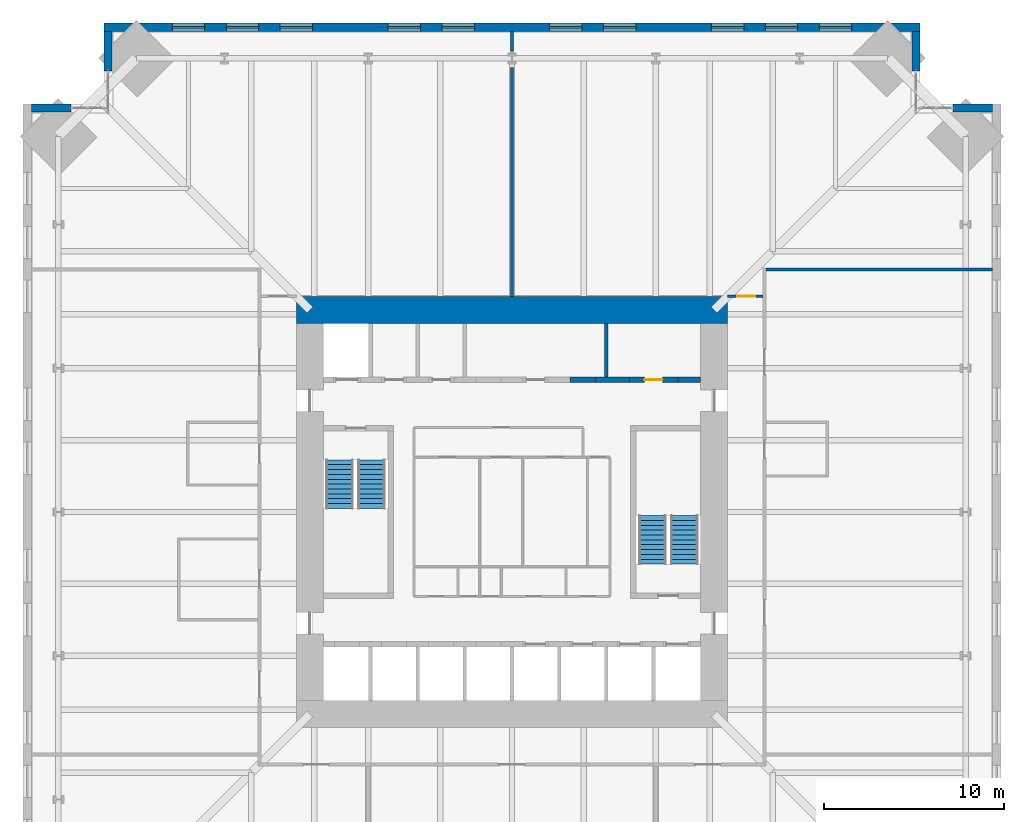
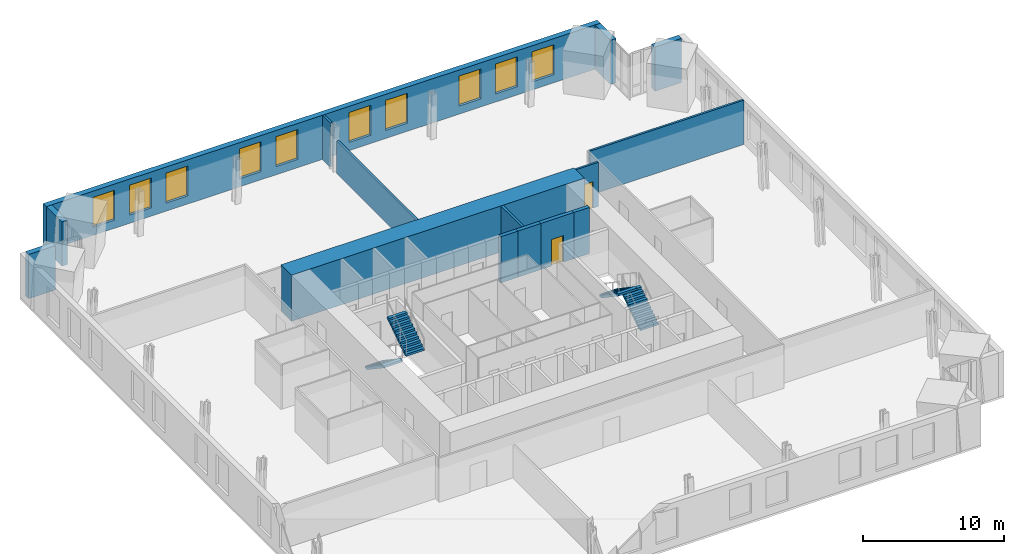
# One storey, part 15 of 16: 15 walls, 10 windows, 4 stair flights, 2 doors, 12 openings, 2 elements without a shape of their own.
"""IFC4 building model written with IfcOpenShell, lengths in metres."""

import ifcopenshell
import ifcopenshell.guid

model = None  # the IFC model being written
_history = None  # IfcOwnerHistory: only IFC2X3 demands one
_inside = {}  # id of a spatial element -> (the spatial element, [elements in it])
_under = {}  # id of a project, library or spatial element -> (it, [spatial elements below it])
_declared = {}  # id of a project -> (the project, [libraries it declares])
_typed = {}  # id of a type object -> (the type object, [elements of that type])
_made_of = {}  # id of a material, layer set ... -> (it, [elements and type objects made of it])


def new_model(schema):
    """Start an empty IFC model of exactly this schema.

    Asked for "IFC4X3", IfcOpenShell would pick the latest addendum, in which some entities
    have other attributes; the version numbers below select the first issue.
    IFC2X3 requires an IfcOwnerHistory on every rooted entity: one is made here for all.
    """
    global model, _history
    if schema == "IFC4X3":
        model = ifcopenshell.file(schema_version=(4, 3, 0, 0))
    else:
        model = ifcopenshell.file(schema=schema)
    _inside.clear()
    _under.clear()
    _declared.clear()
    _typed.clear()
    _made_of.clear()
    _history = None
    if model.schema == "IFC2X3":
        org = make("IfcOrganization", Name="unknown")
        user = make(
            "IfcPersonAndOrganization",
            ThePerson=make("IfcPerson", FamilyName="unknown"),
            TheOrganization=org,
        )
        app = make(
            "IfcApplication",
            ApplicationDeveloper=org,
            Version="unknown",
            ApplicationFullName="unknown",
            ApplicationIdentifier="unknown",
        )
        _history = make(
            "IfcOwnerHistory",
            OwningUser=user,
            OwningApplication=app,
            ChangeAction="ADDED",
            CreationDate=0,
        )
    return model


def make(cls, **values):
    """One entity of the class cls with the attributes given. An attribute that is None is left unset."""
    return model.create_entity(
        cls, **{name: value for name, value in values.items() if value is not None}
    )


def rooted(cls, **values):
    """An entity with a GlobalId (a new one), such as an element, a storey or a relation."""
    return make(cls, GlobalId=ifcopenshell.guid.new(), OwnerHistory=_history, **values)


def si_unit(unit_type, name, prefix=None):
    """IfcSIUnit, for example si_unit("LENGTHUNIT", "METRE", prefix="MILLI")."""
    return make("IfcSIUnit", UnitType=unit_type, Prefix=prefix, Name=name)


def assignment(units):
    """IfcUnitAssignment: the units of a project."""
    return None if units is None else make("IfcUnitAssignment", Units=units)


def point(xyz):
    """IfcCartesianPoint."""
    return None if xyz is None else make("IfcCartesianPoint", Coordinates=xyz)


def direction(xyz):
    """IfcDirection."""
    return None if xyz is None else make("IfcDirection", DirectionRatios=xyz)


def frame(location, z_axis=None, x_axis=None):
    """IfcAxis2Placement3D, a coordinate frame: its origin and axes. An axis left out is left unset."""
    return make(
        "IfcAxis2Placement3D",
        Location=point(location),
        Axis=direction(z_axis),
        RefDirection=direction(x_axis),
    )


def frame_2d(location, x_axis=None):
    """IfcAxis2Placement2D, a coordinate frame in the plane: its origin and x axis."""
    return make(
        "IfcAxis2Placement2D", Location=point(location), RefDirection=direction(x_axis)
    )


def origin():
    """The frame at (0, 0, 0) with its axes left unset."""
    return frame((0.0, 0.0, 0.0))


def place(relative_to, where):
    """IfcLocalPlacement: puts the frame where relative to a parent placement (None: the world)."""
    return make(
        "IfcLocalPlacement", PlacementRelTo=relative_to, RelativePlacement=where
    )


def context(
    kind, dimensions, precision=None, world=None, true_north=None, identifier=None
):
    """IfcGeometricRepresentationContext, for example the 3D "Model" context."""
    return make(
        "IfcGeometricRepresentationContext",
        ContextIdentifier=identifier,
        ContextType=kind,
        CoordinateSpaceDimension=dimensions,
        Precision=precision,
        WorldCoordinateSystem=world,
        TrueNorth=true_north,
    )


def subcontext(parent, identifier, kind, view, scale=None):
    """IfcGeometricRepresentationSubContext, for example "Body" below "Model"."""
    return make(
        "IfcGeometricRepresentationSubContext",
        ContextIdentifier=identifier,
        ContextType=kind,
        ParentContext=parent,
        TargetScale=scale,
        TargetView=view,
    )


def project(units=None, contexts=None):
    """IfcProject with its units and contexts."""
    return rooted(
        "IfcProject",
        Name="project",
        RepresentationContexts=contexts,
        UnitsInContext=assignment(units),
    )


def spatial(cls, under=None, at=None, **own):
    """A site, building, storey or space (cls), placed at a placement, below another one or the project."""
    s = rooted(cls, ObjectPlacement=at, **own)
    if under is not None:
        _under.setdefault(under.id(), (under, []))[1].append(s)
    return s


def polyline(points):
    """IfcPolyline through the points."""
    return make("IfcPolyline", Points=[point(p) for p in points])


def profile(cls, at=None, kind="AREA", **sizes):
    """A parametric profile (cls). Its sizes go by their IFC names, for example OverallWidth=200.0."""
    return make(cls, ProfileType=kind, Position=at, **sizes)


def rectangle(**sizes):
    """IfcRectangleProfileDef."""
    return profile("IfcRectangleProfileDef", **sizes)


def outline(outer, holes=None, kind="AREA"):
    """IfcArbitraryClosedProfileDef: a profile drawn as a closed curve; with holes, ...WithVoids."""
    if holes is None:
        return make("IfcArbitraryClosedProfileDef", ProfileType=kind, OuterCurve=outer)
    return make(
        "IfcArbitraryProfileDefWithVoids",
        ProfileType=kind,
        OuterCurve=outer,
        InnerCurves=holes,
    )


def extrude(swept, where, along, depth):
    """IfcExtrudedAreaSolid: the profile swept, set in the frame where, extruded along a direction by depth."""
    return make(
        "IfcExtrudedAreaSolid",
        SweptArea=swept,
        Position=where,
        ExtrudedDirection=direction(along),
        Depth=depth,
    )


def shape(context_of_items, identifier, shape_type, items):
    """IfcShapeRepresentation: the items that make up one representation, for example the "Body"."""
    return make(
        "IfcShapeRepresentation",
        ContextOfItems=context_of_items,
        RepresentationIdentifier=identifier,
        RepresentationType=shape_type,
        Items=items,
    )


def material(Name=None, Category=None):
    """IfcMaterial."""
    return make("IfcMaterial", Name=Name, Category=Category)


def layer(
    of_material, thickness, ventilated=None, Name=None, Category=None, Priority=None
):
    """IfcMaterialLayer: one layer of a wall or slab, of a material (None: an air gap)."""
    return make(
        "IfcMaterialLayer",
        Material=of_material,
        LayerThickness=thickness,
        IsVentilated=ventilated,
        Name=Name,
        Category=Category,
        Priority=Priority,
    )


def layer_set(layers, Name=None):
    """IfcMaterialLayerSet."""
    return make("IfcMaterialLayerSet", MaterialLayers=layers, LayerSetName=Name)


def made_of(thing, what):
    """Note that an element or type object is made of a material, layer set ...; save() writes the relation."""
    if what is not None:
        _made_of.setdefault(what.id(), (what, []))[1].append(thing)
    return thing


def type_object(cls, material=None, **own):
    """A type object (cls), such as IfcWallType, which elements share."""
    return made_of(rooted(cls, **own), material)


def element(
    cls,
    number,
    at=None,
    inside=None,
    cuts=None,
    type_object=None,
    material=None,
    context=None,
    identifier="Body",
    shape_type=None,
    held_by="IfcProductDefinitionShape",
    body=None,
    shapes=None,
    **own,
):
    """One element of the class cls, such as IfcWall. Its Tag is "e" and its number.

    at: its placement. inside: the storey or other place that contains it. cuts: it is an
    opening in that element (IfcRelVoidsElement). A single representation is given by context,
    identifier, shape_type and body (its items); several are given by shapes. held_by: the class
    of the entity that holds the representations. save() writes the other relations.
    """
    e = rooted(cls, Tag="e%d" % number, ObjectPlacement=at, **own)
    if body is not None:
        shapes = [shape(context, identifier, shape_type, body)]
    if shapes is not None:
        e.Representation = make(held_by, Representations=shapes)
    if inside is not None:
        _inside.setdefault(inside.id(), (inside, []))[1].append(e)
    if cuts is not None:
        rooted(
            "IfcRelVoidsElement", RelatingBuildingElement=cuts, RelatedOpeningElement=e
        )
    if type_object is not None:
        _typed.setdefault(type_object.id(), (type_object, []))[1].append(e)
    return made_of(e, material)


def fill(opening, filler):
    """IfcRelFillsElement: the door or window that sits in an opening."""
    return rooted(
        "IfcRelFillsElement",
        RelatingOpeningElement=opening,
        RelatedBuildingElement=filler,
    )


def aggregate(whole, parts):
    """IfcRelAggregates: a whole, such as a stair, and the parts it consists of."""
    return rooted("IfcRelAggregates", RelatingObject=whole, RelatedObjects=parts)


def save(model, path):
    """Write the relations noted so far, then the file.

    IfcRelAggregates (storeys below a building ...), IfcRelContainedInSpatialStructure (elements
    in a storey), IfcRelDefinesByType, IfcRelAssociatesMaterial and IfcRelDeclares: one each for
    every whole, place, type object, material and project.
    """
    for whole, parts in _under.values():
        aggregate(whole, parts)
    for where, things in _inside.values():
        rooted(
            "IfcRelContainedInSpatialStructure",
            RelatedElements=things,
            RelatingStructure=where,
        )
    for kind, things in _typed.values():
        rooted("IfcRelDefinesByType", RelatedObjects=things, RelatingType=kind)
    for what, things in _made_of.values():
        rooted("IfcRelAssociatesMaterial", RelatedObjects=things, RelatingMaterial=what)
    for by, libraries in _declared.values():
        rooted("IfcRelDeclares", RelatingContext=by, RelatedDefinitions=libraries)
    model.write(path)


model = new_model("IFC4")

# Units and contexts
model_context = context("Model", 3, precision=1e-05, world=origin(), true_north=direction((0.0, 1.0)))
body_context = subcontext(model_context, "Body", "Model", "MODEL_VIEW")
ifc_project = project(units=[si_unit("LENGTHUNIT", "METRE"), si_unit("AREAUNIT", "SQUARE_METRE"), si_unit("VOLUMEUNIT", "CUBIC_METRE"), si_unit("PLANEANGLEUNIT", "RADIAN"), si_unit("MASSUNIT", "GRAM", prefix="KILO")], contexts=[model_context])

# Site, building, storey
site_placement = place(None, origin())
site = spatial("IfcSite", under=ifc_project, at=site_placement, CompositionType="ELEMENT")
building_placement = place(site_placement, origin())
building = spatial("IfcBuilding", under=site, at=building_placement, Name="Peilmerk Tower", CompositionType="ELEMENT")
storey_placement = place(building_placement, frame((0.0, 0.0, 139.800048828125)))
storey = spatial("IfcBuildingStorey", under=building, at=storey_placement, Name="L28", CompositionType="ELEMENT", Elevation=139.800048828125)

# Wall, openings, windows
ifc_material_1 = material(Name="Precast concrete C45/55, board-marked finish", Category="concrete")
ifc_layer_1 = layer(ifc_material_1, 0.449951171875)
ifc_layer_set_1 = layer_set([ifc_layer_1], Name="Precast concrete C45/55, board-marked finish")
wall_type_1 = type_object("IfcWallType", Name="EW1 450 precast concrete facade wall, board-marked", PredefinedType="SOLIDWALL", material=ifc_layer_set_1)
wall_1_placement = place(storey_placement, frame((22.699951171875, 26.97509765625, 0.0), z_axis=(0.0, 0.0, 1.0), x_axis=(-1.0, 0.0, 0.0)))
wall_1 = element("IfcWall", 1, at=wall_1_placement, inside=storey, type_object=wall_type_1, Name="Facade wall N L28", PredefinedType="SOLIDWALL", context=body_context, shape_type="SweptSolid", body=[
    extrude(rectangle(XDim=45.39990234375, YDim=0.449951171875, at=frame_2d((22.699951171875, 0.0))), origin(), (0.0, 0.0, 1.0), 3.829833984375),
])
opening_1_placement = place(wall_1_placement, frame((3.800048828125, 0.0, 0.699951171875)))
opening_1 = element("IfcOpeningElement", 2, at=opening_1_placement, cuts=wall_1, Name="Opening W1", PredefinedType="OPENING", context=body_context, shape_type="SweptSolid", body=[
    extrude(rectangle(XDim=1.800048828125, YDim=2.60009765625, at=frame_2d((0.89990234375, 1.300048828125))), frame((0.0, 0.23486328125, 0.0), z_axis=(0.0, -1.0, 0.0), x_axis=(1.0, 0.0, 0.0)), (0.0, 0.0, 1.0), 0.469970703125),
])
opening_2_placement = place(wall_1_placement, frame((6.800048828125, 0.0, 0.699951171875)))
opening_2 = element("IfcOpeningElement", 3, at=opening_2_placement, cuts=wall_1, Name="Opening W1", PredefinedType="OPENING", context=body_context, shape_type="SweptSolid", body=[
    extrude(rectangle(XDim=1.800048828125, YDim=2.60009765625, at=frame_2d((0.89990234375, 1.300048828125))), frame((0.0, 0.23486328125, 0.0), z_axis=(0.0, -1.0, 0.0), x_axis=(1.0, 0.0, 0.0)), (0.0, 0.0, 1.0), 0.469970703125),
])
opening_3_placement = place(wall_1_placement, frame((9.800048828125, 0.0, 0.699951171875)))
opening_3 = element("IfcOpeningElement", 4, at=opening_3_placement, cuts=wall_1, Name="Opening W1", PredefinedType="OPENING", context=body_context, shape_type="SweptSolid", body=[
    extrude(rectangle(XDim=1.800048828125, YDim=2.60009765625, at=frame_2d((0.89990234375, 1.300048828125))), frame((0.0, 0.23486328125, 0.0), z_axis=(0.0, -1.0, 0.0), x_axis=(1.0, 0.0, 0.0)), (0.0, 0.0, 1.0), 0.469970703125),
])
opening_4_placement = place(wall_1_placement, frame((15.800048828125, 0.0, 0.699951171875)))
opening_4 = element("IfcOpeningElement", 5, at=opening_4_placement, cuts=wall_1, Name="Opening W1", PredefinedType="OPENING", context=body_context, shape_type="SweptSolid", body=[
    extrude(rectangle(XDim=1.800048828125, YDim=2.60009765625, at=frame_2d((0.89990234375, 1.300048828125))), frame((0.0, 0.23486328125, 0.0), z_axis=(0.0, -1.0, 0.0), x_axis=(1.0, 0.0, 0.0)), (0.0, 0.0, 1.0), 0.469970703125),
])
opening_5_placement = place(wall_1_placement, frame((18.800048828125, 0.0, 0.699951171875)))
opening_5 = element("IfcOpeningElement", 6, at=opening_5_placement, cuts=wall_1, Name="Opening W1", PredefinedType="OPENING", context=body_context, shape_type="SweptSolid", body=[
    extrude(rectangle(XDim=1.800048828125, YDim=2.60009765625, at=frame_2d((0.89990234375, 1.300048828125))), frame((0.0, 0.23486328125, 0.0), z_axis=(0.0, -1.0, 0.0), x_axis=(1.0, 0.0, 0.0)), (0.0, 0.0, 1.0), 0.469970703125),
])
opening_6_placement = place(wall_1_placement, frame((24.800048828125, 0.0, 0.699951171875)))
opening_6 = element("IfcOpeningElement", 7, at=opening_6_placement, cuts=wall_1, Name="Opening W1", PredefinedType="OPENING", context=body_context, shape_type="SweptSolid", body=[
    extrude(rectangle(XDim=1.800048828125, YDim=2.60009765625, at=frame_2d((0.89990234375, 1.300048828125))), frame((0.0, 0.23486328125, 0.0), z_axis=(0.0, -1.0, 0.0), x_axis=(1.0, 0.0, 0.0)), (0.0, 0.0, 1.0), 0.469970703125),
])
opening_7_placement = place(wall_1_placement, frame((27.800048828125, 0.0, 0.699951171875)))
opening_7 = element("IfcOpeningElement", 8, at=opening_7_placement, cuts=wall_1, Name="Opening W1", PredefinedType="OPENING", context=body_context, shape_type="SweptSolid", body=[
    extrude(rectangle(XDim=1.800048828125, YDim=2.60009765625, at=frame_2d((0.89990234375, 1.300048828125))), frame((0.0, 0.23486328125, 0.0), z_axis=(0.0, -1.0, 0.0), x_axis=(1.0, 0.0, 0.0)), (0.0, 0.0, 1.0), 0.469970703125),
])
opening_8_placement = place(wall_1_placement, frame((33.800048828125, 0.0, 0.699951171875)))
opening_8 = element("IfcOpeningElement", 9, at=opening_8_placement, cuts=wall_1, Name="Opening W1", PredefinedType="OPENING", context=body_context, shape_type="SweptSolid", body=[
    extrude(rectangle(XDim=1.800048828125, YDim=2.60009765625, at=frame_2d((0.89990234375, 1.300048828125))), frame((0.0, 0.23486328125, 0.0), z_axis=(0.0, -1.0, 0.0), x_axis=(1.0, 0.0, 0.0)), (0.0, 0.0, 1.0), 0.469970703125),
])
opening_9_placement = place(wall_1_placement, frame((36.800048828125, 0.0, 0.699951171875)))
opening_9 = element("IfcOpeningElement", 10, at=opening_9_placement, cuts=wall_1, Name="Opening W1", PredefinedType="OPENING", context=body_context, shape_type="SweptSolid", body=[
    extrude(rectangle(XDim=1.800048828125, YDim=2.60009765625, at=frame_2d((0.89990234375, 1.300048828125))), frame((0.0, 0.23486328125, 0.0), z_axis=(0.0, -1.0, 0.0), x_axis=(1.0, 0.0, 0.0)), (0.0, 0.0, 1.0), 0.469970703125),
])
opening_10_placement = place(wall_1_placement, frame((39.800048828125, 0.0, 0.699951171875)))
opening_10 = element("IfcOpeningElement", 11, at=opening_10_placement, cuts=wall_1, Name="Opening W1", PredefinedType="OPENING", context=body_context, shape_type="SweptSolid", body=[
    extrude(rectangle(XDim=1.800048828125, YDim=2.60009765625, at=frame_2d((0.89990234375, 1.300048828125))), frame((0.0, 0.23486328125, 0.0), z_axis=(0.0, -1.0, 0.0), x_axis=(1.0, 0.0, 0.0)), (0.0, 0.0, 1.0), 0.469970703125),
])
ifc_material_2 = material(Name="Aluminium frame, clear double glazing", Category="aluminium")
window_type = type_object("IfcWindowType", Name="W1 1800x2600 office window", PartitioningType="SINGLE_PANEL", PredefinedType="WINDOW", material=ifc_material_2)
window_1_placement = place(opening_1_placement, origin())
window_1 = element("IfcWindow", 12, at=window_1_placement, inside=storey, type_object=window_type, Name="Window W1 L28", OverallHeight=2.60009765625, OverallWidth=1.800048828125, PartitioningType="SINGLE_PANEL", PredefinedType="WINDOW", context=body_context, shape_type="SweptSolid", body=[
    extrude(rectangle(XDim=1.800048828125, YDim=2.60009765625, at=frame_2d((0.89990234375, 1.300048828125))), frame((0.0, 0.030029296875, 0.0), z_axis=(0.0, -1.0, 0.0), x_axis=(1.0, 0.0, 0.0)), (0.0, 0.0, 1.0), 0.06005859375),
])
fill(opening_1, window_1)
window_2_placement = place(opening_2_placement, origin())
window_2 = element("IfcWindow", 13, at=window_2_placement, inside=storey, type_object=window_type, Name="Window W1 L28", OverallHeight=2.60009765625, OverallWidth=1.800048828125, PartitioningType="SINGLE_PANEL", PredefinedType="WINDOW", context=body_context, shape_type="SweptSolid", body=[
    extrude(rectangle(XDim=1.800048828125, YDim=2.60009765625, at=frame_2d((0.89990234375, 1.300048828125))), frame((0.0, 0.030029296875, 0.0), z_axis=(0.0, -1.0, 0.0), x_axis=(1.0, 0.0, 0.0)), (0.0, 0.0, 1.0), 0.06005859375),
])
fill(opening_2, window_2)
window_3_placement = place(opening_3_placement, origin())
window_3 = element("IfcWindow", 14, at=window_3_placement, inside=storey, type_object=window_type, Name="Window W1 L28", OverallHeight=2.60009765625, OverallWidth=1.800048828125, PartitioningType="SINGLE_PANEL", PredefinedType="WINDOW", context=body_context, shape_type="SweptSolid", body=[
    extrude(rectangle(XDim=1.800048828125, YDim=2.60009765625, at=frame_2d((0.89990234375, 1.300048828125))), frame((0.0, 0.030029296875, 0.0), z_axis=(0.0, -1.0, 0.0), x_axis=(1.0, 0.0, 0.0)), (0.0, 0.0, 1.0), 0.06005859375),
])
fill(opening_3, window_3)
window_4_placement = place(opening_4_placement, origin())
window_4 = element("IfcWindow", 15, at=window_4_placement, inside=storey, type_object=window_type, Name="Window W1 L28", OverallHeight=2.60009765625, OverallWidth=1.800048828125, PartitioningType="SINGLE_PANEL", PredefinedType="WINDOW", context=body_context, shape_type="SweptSolid", body=[
    extrude(rectangle(XDim=1.800048828125, YDim=2.60009765625, at=frame_2d((0.89990234375, 1.300048828125))), frame((0.0, 0.030029296875, 0.0), z_axis=(0.0, -1.0, 0.0), x_axis=(1.0, 0.0, 0.0)), (0.0, 0.0, 1.0), 0.06005859375),
])
fill(opening_4, window_4)
window_5_placement = place(opening_5_placement, origin())
window_5 = element("IfcWindow", 16, at=window_5_placement, inside=storey, type_object=window_type, Name="Window W1 L28", OverallHeight=2.60009765625, OverallWidth=1.800048828125, PartitioningType="SINGLE_PANEL", PredefinedType="WINDOW", context=body_context, shape_type="SweptSolid", body=[
    extrude(rectangle(XDim=1.800048828125, YDim=2.60009765625, at=frame_2d((0.89990234375, 1.300048828125))), frame((0.0, 0.030029296875, 0.0), z_axis=(0.0, -1.0, 0.0), x_axis=(1.0, 0.0, 0.0)), (0.0, 0.0, 1.0), 0.06005859375),
])
fill(opening_5, window_5)
window_6_placement = place(opening_6_placement, origin())
window_6 = element("IfcWindow", 17, at=window_6_placement, inside=storey, type_object=window_type, Name="Window W1 L28", OverallHeight=2.60009765625, OverallWidth=1.800048828125, PartitioningType="SINGLE_PANEL", PredefinedType="WINDOW", context=body_context, shape_type="SweptSolid", body=[
    extrude(rectangle(XDim=1.800048828125, YDim=2.60009765625, at=frame_2d((0.89990234375, 1.300048828125))), frame((0.0, 0.030029296875, 0.0), z_axis=(0.0, -1.0, 0.0), x_axis=(1.0, 0.0, 0.0)), (0.0, 0.0, 1.0), 0.06005859375),
])
fill(opening_6, window_6)
window_7_placement = place(opening_7_placement, origin())
window_7 = element("IfcWindow", 18, at=window_7_placement, inside=storey, type_object=window_type, Name="Window W1 L28", OverallHeight=2.60009765625, OverallWidth=1.800048828125, PartitioningType="SINGLE_PANEL", PredefinedType="WINDOW", context=body_context, shape_type="SweptSolid", body=[
    extrude(rectangle(XDim=1.800048828125, YDim=2.60009765625, at=frame_2d((0.89990234375, 1.300048828125))), frame((0.0, 0.030029296875, 0.0), z_axis=(0.0, -1.0, 0.0), x_axis=(1.0, 0.0, 0.0)), (0.0, 0.0, 1.0), 0.06005859375),
])
fill(opening_7, window_7)
window_8_placement = place(opening_8_placement, origin())
window_8 = element("IfcWindow", 19, at=window_8_placement, inside=storey, type_object=window_type, Name="Window W1 L28", OverallHeight=2.60009765625, OverallWidth=1.800048828125, PartitioningType="SINGLE_PANEL", PredefinedType="WINDOW", context=body_context, shape_type="SweptSolid", body=[
    extrude(rectangle(XDim=1.800048828125, YDim=2.60009765625, at=frame_2d((0.89990234375, 1.300048828125))), frame((0.0, 0.030029296875, 0.0), z_axis=(0.0, -1.0, 0.0), x_axis=(1.0, 0.0, 0.0)), (0.0, 0.0, 1.0), 0.06005859375),
])
fill(opening_8, window_8)
window_9_placement = place(opening_9_placement, origin())
window_9 = element("IfcWindow", 20, at=window_9_placement, inside=storey, type_object=window_type, Name="Window W1 L28", OverallHeight=2.60009765625, OverallWidth=1.800048828125, PartitioningType="SINGLE_PANEL", PredefinedType="WINDOW", context=body_context, shape_type="SweptSolid", body=[
    extrude(rectangle(XDim=1.800048828125, YDim=2.60009765625, at=frame_2d((0.89990234375, 1.300048828125))), frame((0.0, 0.030029296875, 0.0), z_axis=(0.0, -1.0, 0.0), x_axis=(1.0, 0.0, 0.0)), (0.0, 0.0, 1.0), 0.06005859375),
])
fill(opening_9, window_9)
window_10_placement = place(opening_10_placement, origin())
window_10 = element("IfcWindow", 21, at=window_10_placement, inside=storey, type_object=window_type, Name="Window W1 L28", OverallHeight=2.60009765625, OverallWidth=1.800048828125, PartitioningType="SINGLE_PANEL", PredefinedType="WINDOW", context=body_context, shape_type="SweptSolid", body=[
    extrude(rectangle(XDim=1.800048828125, YDim=2.60009765625, at=frame_2d((0.89990234375, 1.300048828125))), frame((0.0, 0.030029296875, 0.0), z_axis=(0.0, -1.0, 0.0), x_axis=(1.0, 0.0, 0.0)), (0.0, 0.0, 1.0), 0.06005859375),
])
fill(opening_10, window_10)

# Walls
for number, where, z_axis, x_axis, name in (
    (22, (22.47509765625, 24.5537109375, 0.0), (0.0, 0.0, 1.0), (0.0, 1.0, 0.0), "Facade wall NEA L28"),
    (23, (24.5537109375, 22.47509765625, 0.0), (0.0, 0.0, 1.0), (1.0, 0.0, 0.0), "Facade wall NEB L28"),
    (24, (-22.47509765625, 24.5537109375, 0.0), (0.0, 0.0, 1.0), (0.0, 1.0, 0.0), "Facade wall NWA L28"),
    (25, (-24.5537109375, 22.47509765625, 0.0), (0.0, 0.0, 1.0), (-1.0, 0.0, 0.0), "Facade wall NWB L28"),
):
    element("IfcWall", number, at=place(storey_placement, frame(where, z_axis=z_axis, x_axis=x_axis)), inside=storey, type_object=wall_type_1, Name=name, PredefinedType="SOLIDWALL", context=body_context, shape_type="SweptSolid", body=[
        extrude(rectangle(XDim=2.1962890625, YDim=0.449951171875, at=frame_2d((1.09814453125, 0.0))), origin(), (0.0, 0.0, 1.0), 3.829833984375),
    ])

# Wall, opening, door
ifc_material_3 = material(Name="Calcium silicate block", Category="masonry")
ifc_layer_2 = layer(ifc_material_3, 0.14990234375)
ifc_layer_set_2 = layer_set([ifc_layer_2], Name="Calcium silicate block")
wall_type_2 = type_object("IfcWallType", Name="IW1 150 corridor partition, EI 60", PredefinedType="PARTITIONING", material=ifc_layer_set_2)
wall_2_placement = place(storey_placement, frame((12.0, 12.0, 0.0), z_axis=(0.0, 0.0, 1.0), x_axis=(1.0, 0.0, 0.0)))
wall_2 = element("IfcWall", 26, at=wall_2_placement, inside=storey, type_object=wall_type_2, Name="Corridor wall NE L28", PredefinedType="PARTITIONING", context=body_context, shape_type="SweptSolid", body=[
    extrude(rectangle(XDim=1.97509765625, YDim=0.14990234375, at=frame_2d((0.987548828125, 0.0))), origin(), (0.0, 0.0, 1.0), 3.829833984375),
])
opening_11_placement = place(wall_2_placement, frame((0.52490234375, 0.0, 0.0)))
opening_11 = element("IfcOpeningElement", 27, at=opening_11_placement, cuts=wall_2, Name="Opening D1", PredefinedType="OPENING", context=body_context, shape_type="SweptSolid", body=[
    extrude(rectangle(XDim=1.0, YDim=2.300048828125, at=frame_2d((0.5, 1.14990234375))), frame((0.0, 0.0849609375, 0.0), z_axis=(0.0, -1.0, 0.0), x_axis=(1.0, 0.0, 0.0)), (0.0, 0.0, 1.0), 0.169921875),
])
ifc_material_4 = material(Name="Timber door in steel frame", Category="steel")
door_type_1 = type_object("IfcDoorType", Name="D1 1000x2300 room door, EI2 30", OperationType="SINGLE_SWING_LEFT", PredefinedType="DOOR", material=ifc_material_4)
door_1_placement = place(opening_11_placement, origin())
door_1 = element("IfcDoor", 28, at=door_1_placement, inside=storey, type_object=door_type_1, Name="Door Tenant suite L28", OperationType="SINGLE_SWING_LEFT", OverallHeight=2.300048828125, OverallWidth=1.0, PredefinedType="DOOR", context=body_context, shape_type="SweptSolid", body=[
    extrude(rectangle(XDim=1.0, YDim=2.300048828125, at=frame_2d((0.5, 1.14990234375))), frame((0.0, 0.02490234375, 0.0), z_axis=(0.0, -1.0, 0.0), x_axis=(1.0, 0.0, 0.0)), (0.0, 0.0, 1.0), 0.050048828125),
])
fill(opening_11, door_1)

# Walls
ifc_layer_3 = layer(ifc_material_3, 0.175048828125)
ifc_layer_set_3 = layer_set([ifc_layer_3], Name="Calcium silicate block")
wall_type_3 = type_object("IfcWallType", Name="IW8 175 tenant separating wall, EI 60", PredefinedType="PARTITIONING", material=ifc_layer_set_3)
wall_3_placement = place(storey_placement, frame((14.125, 13.5, 0.0), z_axis=(0.0, 0.0, 1.0), x_axis=(1.0, 0.0, 0.0)))
element("IfcWall", 29, at=wall_3_placement, inside=storey, type_object=wall_type_3, Name="Tenant separating wall NE L28", PredefinedType="PARTITIONING", context=body_context, shape_type="SweptSolid", body=[
    extrude(rectangle(XDim=12.625, YDim=0.175048828125, at=frame_2d((6.3125, 0.0))), origin(), (0.0, 0.0, 1.0), 3.829833984375),
])
wall_4_placement = place(storey_placement, frame((0.0, 12.0, 0.0), z_axis=(0.0, 0.0, 1.0), x_axis=(0.0, 1.0, 0.0)))
element("IfcWall", 30, at=wall_4_placement, inside=storey, type_object=wall_type_3, Name="Tenant separating wall N1 L28", PredefinedType="PARTITIONING", context=body_context, shape_type="SweptSolid", body=[
    extrude(rectangle(XDim=12.734375, YDim=0.175048828125, at=frame_2d((6.3671875, 0.0))), origin(), (0.0, 0.0, 1.0), 2.829833984375),
])
wall_5_placement = place(storey_placement, frame((0.0, 25.62353515625, 0.0), z_axis=(0.0, 0.0, 1.0), x_axis=(0.0, 1.0, 0.0)))
element("IfcWall", 31, at=wall_5_placement, inside=storey, type_object=wall_type_3, Name="Tenant separating wall N1b L28", PredefinedType="PARTITIONING", context=body_context, shape_type="SweptSolid", body=[
    extrude(rectangle(XDim=1.12646484375, YDim=0.175048828125, at=frame_2d((0.563232421875, 0.0))), origin(), (0.0, 0.0, 1.0), 3.829833984375),
])
ifc_layer_4 = layer(ifc_material_3, 0.199951171875)
ifc_layer_set_4 = layer_set([ifc_layer_4], Name="Calcium silicate block")
wall_type_4 = type_object("IfcWallType", Name="SH1 200 shaft dividing wall, EI 120", PredefinedType="PARTITIONING", material=ifc_layer_set_4)
wall_6_placement = place(storey_placement, frame((5.25, 7.5, 0.0), z_axis=(0.0, 0.0, 1.0), x_axis=(0.0, 1.0, 0.0)))
element("IfcWall", 32, at=wall_6_placement, inside=storey, type_object=wall_type_4, Name="Shaft wall N S2 L28", PredefinedType="PARTITIONING", context=body_context, shape_type="SweptSolid", body=[
    extrude(rectangle(XDim=3.0, YDim=0.199951171875, at=frame_2d((1.5, 0.0))), origin(), (0.0, 0.0, 1.0), 4.0),
])
ifc_layer_5 = layer(ifc_material_3, 0.300048828125)
ifc_layer_set_5 = layer_set([ifc_layer_5], Name="Calcium silicate block")
wall_type_5 = type_object("IfcWallType", Name="SH2 300 lift landing door panel, EI 120", PredefinedType="PARTITIONING", material=ifc_layer_set_5)
wall_7_placement = place(storey_placement, frame((3.237548828125, 7.35009765625, 0.0), z_axis=(0.0, 0.0, 1.0), x_axis=(1.0, 0.0, 0.0)))
element("IfcWall", 33, at=wall_7_placement, inside=storey, type_object=wall_type_5, Name="Lift door panel N S2 L28", PredefinedType="PARTITIONING", context=body_context, shape_type="SweptSolid", body=[
    extrude(rectangle(XDim=1.39990234375, YDim=0.300048828125, at=frame_2d((0.699951171875, 0.0))), origin(), (0.0, 0.0, 1.0), 4.0),
])

# Wall, opening, door
wall_8_placement = place(storey_placement, frame((6.52490234375, 7.35009765625, 0.0), z_axis=(0.0, 0.0, 1.0), x_axis=(1.0, 0.0, 0.0)))
wall_8 = element("IfcWall", 34, at=wall_8_placement, inside=storey, type_object=wall_type_5, Name="Lift door panel N GL1 L28", PredefinedType="PARTITIONING", context=body_context, shape_type="SweptSolid", body=[
    extrude(rectangle(XDim=2.7001953125, YDim=0.300048828125, at=frame_2d((1.35009765625, 0.0))), origin(), (0.0, 0.0, 1.0), 4.0),
])
opening_12_placement = place(wall_8_placement, frame((0.85009765625, 0.0, 0.0)))
opening_12 = element("IfcOpeningElement", 35, at=opening_12_placement, cuts=wall_8, Name="Opening D10", PredefinedType="OPENING", context=body_context, shape_type="SweptSolid", body=[
    extrude(rectangle(XDim=1.0, YDim=2.300048828125, at=frame_2d((0.5, 1.14990234375))), frame((0.0, 0.159912109375, 0.0), z_axis=(0.0, -1.0, 0.0), x_axis=(1.0, 0.0, 0.0)), (0.0, 0.0, 1.0), 0.320068359375),
])
ifc_material_5 = material(Name="Steel door in steel frame", Category="steel")
door_type_2 = type_object("IfcDoorType", Name="D10 1000x2300 core room door, EI2 60", OperationType="SINGLE_SWING_RIGHT", PredefinedType="DOOR", material=ifc_material_5)
door_2_placement = place(opening_12_placement, origin())
door_2 = element("IfcDoor", 36, at=door_2_placement, inside=storey, type_object=door_type_2, Name="Door IT room L28", OperationType="SINGLE_SWING_RIGHT", OverallHeight=2.300048828125, OverallWidth=1.0, PredefinedType="DOOR", context=body_context, shape_type="SweptSolid", body=[
    extrude(rectangle(XDim=1.0, YDim=2.300048828125, at=frame_2d((0.5, 1.14990234375))), frame((0.0, 0.02490234375, 0.0), z_axis=(0.0, -1.0, 0.0), x_axis=(1.0, 0.0, 0.0)), (0.0, 0.0, 1.0), 0.050048828125),
])
fill(opening_12, door_2)

# Walls
ifc_material_6 = material(Name="Concrete C55/67", Category="concrete")
ifc_layer_6 = layer(ifc_material_6, 1.5)
ifc_layer_set_6 = layer_set([ifc_layer_6], Name="Concrete C55/67")
wall_type_6 = type_object("IfcWallType", Name="SW1 1500 core wall", PredefinedType="SHEAR", material=ifc_layer_set_6)
wall_9_placement = place(storey_placement, frame((-12.0, 11.25, 0.0), z_axis=(0.0, 0.0, 1.0), x_axis=(1.0, 0.0, 0.0)))
element("IfcWall", 37, at=wall_9_placement, inside=storey, type_object=wall_type_6, Name="Core wall N L28", PredefinedType="SHEAR", context=body_context, shape_type="SweptSolid", body=[
    extrude(rectangle(XDim=24.0, YDim=1.5, at=frame_2d((12.0, 0.0))), origin(), (0.0, 0.0, 1.0), 4.0),
])
ifc_layer_7 = layer(ifc_material_6, 0.300048828125)
ifc_layer_set_7 = layer_set([ifc_layer_7], Name="Concrete C55/67")
wall_type_7 = type_object("IfcWallType", Name="SW2 300 lift bank pier", PredefinedType="SHEAR", material=ifc_layer_set_7)
wall_10_placement = place(storey_placement, frame((4.637451171875, 7.35009765625, 0.0), z_axis=(0.0, 0.0, 1.0), x_axis=(1.0, 0.0, 0.0)))
element("IfcWall", 38, at=wall_10_placement, inside=storey, type_object=wall_type_7, Name="Lift bank pier N L28", PredefinedType="SHEAR", context=body_context, shape_type="SweptSolid", body=[
    extrude(rectangle(XDim=1.887451171875, YDim=0.300048828125, at=frame_2d((0.94384765625, 0.0))), origin(), (0.0, 0.0, 1.0), 4.0),
])
wall_11_placement = place(storey_placement, frame((9.22509765625, 7.35009765625, 0.0), z_axis=(0.0, 0.0, 1.0), x_axis=(1.0, 0.0, 0.0)))
element("IfcWall", 39, at=wall_11_placement, inside=storey, type_object=wall_type_7, Name="Lift bank pier N L28", PredefinedType="SHEAR", context=body_context, shape_type="SweptSolid", body=[
    extrude(rectangle(XDim=1.27490234375, YDim=0.300048828125, at=frame_2d((0.637451171875, 0.0))), origin(), (0.0, 0.0, 1.0), 4.0),
])

# Stair, stair flights
ifc_material_7 = material(Name="Precast concrete C45/55", Category="concrete")
stair_type_1 = type_object("IfcStairType", Name="ST1 22 risers of 181.8", PredefinedType="HALF_TURN_STAIR", material=ifc_material_7)
stair_1_placement = place(storey_placement, origin())
stair_1 = element("IfcStair", 40, at=stair_1_placement, inside=storey, type_object=stair_type_1, Name="Stair 1 L28 to L29", PredefinedType="HALF_TURN_STAIR")
stair_flight_type = type_object("IfcStairFlightType", Name="SF11 flight, 11 risers of 181.8", PredefinedType="STRAIGHT", material=ifc_material_7)
stair_flight_1_placement = place(storey_placement, frame((-9.60009765625, 2.89990234375, 0.0), z_axis=(0.0, 0.0, 1.0), x_axis=(0.0, -1.0, 0.0)))
stair_flight_1 = element("IfcStairFlight", 41, at=stair_flight_1_placement, type_object=stair_flight_type, Name="ST1 flight 1", NumberOfRisers=11, NumberOfTreads=10, PredefinedType="STRAIGHT", RiserHeight=0.181818182, TreadLength=0.27, context=body_context, shape_type="SweptSolid", body=[
    extrude(outline(polyline([(0.0, 0.0), (0.0, 0.181884765625), (0.27001953125, 0.181884765625), (0.27001953125, 0.363525390625), (0.5400390625, 0.363525390625), (0.5400390625, 0.54541015625), (0.81005859375, 0.54541015625), (0.81005859375, 0.727294921875), (1.080078125, 0.727294921875), (1.080078125, 0.9091796875), (1.35009765625, 0.9091796875), (1.35009765625, 1.0908203125), (1.6201171875, 1.0908203125), (1.6201171875, 1.272705078125), (1.889892578125, 1.272705078125), (1.889892578125, 1.45458984375), (2.159912109375, 1.45458984375), (2.159912109375, 1.636474609375), (2.429931640625, 1.636474609375), (2.429931640625, 1.818115234375), (2.699951171875, 1.818115234375), (2.699951171875, 2.0), (2.699951171875, 1.637451171875), (0.268310546875, 0.0), (0.0, 0.0)])), frame((0.0, 0.75, 0.0), z_axis=(0.0, -1.0, 0.0), x_axis=(1.0, 0.0, 0.0)), (0.0, 0.0, 1.0), 1.5),
])
stair_flight_2_placement = place(storey_placement, frame((-7.800048828125, 0.199951171875, 2.0), z_axis=(0.0, 0.0, 1.0), x_axis=(0.0, 1.0, 0.0)))
stair_flight_2 = element("IfcStairFlight", 42, at=stair_flight_2_placement, type_object=stair_flight_type, Name="ST1 flight 2", NumberOfRisers=11, NumberOfTreads=10, PredefinedType="STRAIGHT", RiserHeight=0.181818182, TreadLength=0.27, context=body_context, shape_type="SweptSolid", body=[
    extrude(outline(polyline([(0.0, 0.0), (0.0, 0.181884765625), (0.27001953125, 0.181884765625), (0.27001953125, 0.363525390625), (0.5400390625, 0.363525390625), (0.5400390625, 0.54541015625), (0.81005859375, 0.54541015625), (0.81005859375, 0.727294921875), (1.080078125, 0.727294921875), (1.080078125, 0.9091796875), (1.35009765625, 0.9091796875), (1.35009765625, 1.0908203125), (1.6201171875, 1.0908203125), (1.6201171875, 1.272705078125), (1.889892578125, 1.272705078125), (1.889892578125, 1.45458984375), (2.159912109375, 1.45458984375), (2.159912109375, 1.636474609375), (2.429931640625, 1.636474609375), (2.429931640625, 1.818115234375), (2.699951171875, 1.818115234375), (2.699951171875, 2.0), (2.699951171875, 1.637451171875), (0.268310546875, 0.0), (0.0, 0.0)])), frame((0.0, 0.75, 0.0), z_axis=(0.0, -1.0, 0.0), x_axis=(1.0, 0.0, 0.0)), (0.0, 0.0, 1.0), 1.5),
])
aggregate(stair_1, [stair_flight_1, stair_flight_2])

stair_type_2 = type_object("IfcStairType", Name="ST2 22 risers of 181.8", PredefinedType="HALF_TURN_STAIR", material=ifc_material_7)
stair_2_placement = place(storey_placement, origin())
stair_2 = element("IfcStair", 43, at=stair_2_placement, inside=storey, type_object=stair_type_2, Name="Stair 2 L28 to L29", PredefinedType="HALF_TURN_STAIR")
stair_flight_3_placement = place(storey_placement, frame((9.60009765625, -2.89990234375, 0.0), z_axis=(0.0, 0.0, 1.0), x_axis=(0.0, 1.0, 0.0)))
stair_flight_3 = element("IfcStairFlight", 44, at=stair_flight_3_placement, type_object=stair_flight_type, Name="ST2 flight 1", NumberOfRisers=11, NumberOfTreads=10, PredefinedType="STRAIGHT", RiserHeight=0.181818182, TreadLength=0.27, context=body_context, shape_type="SweptSolid", body=[
    extrude(outline(polyline([(0.0, 0.0), (0.0, 0.181884765625), (0.27001953125, 0.181884765625), (0.27001953125, 0.363525390625), (0.5400390625, 0.363525390625), (0.5400390625, 0.54541015625), (0.81005859375, 0.54541015625), (0.81005859375, 0.727294921875), (1.080078125, 0.727294921875), (1.080078125, 0.9091796875), (1.35009765625, 0.9091796875), (1.35009765625, 1.0908203125), (1.6201171875, 1.0908203125), (1.6201171875, 1.272705078125), (1.889892578125, 1.272705078125), (1.889892578125, 1.45458984375), (2.159912109375, 1.45458984375), (2.159912109375, 1.636474609375), (2.429931640625, 1.636474609375), (2.429931640625, 1.818115234375), (2.699951171875, 1.818115234375), (2.699951171875, 2.0), (2.699951171875, 1.637451171875), (0.268310546875, 0.0), (0.0, 0.0)])), frame((0.0, 0.75, 0.0), z_axis=(0.0, -1.0, 0.0), x_axis=(1.0, 0.0, 0.0)), (0.0, 0.0, 1.0), 1.5),
])
stair_flight_4_placement = place(storey_placement, frame((7.800048828125, -0.199951171875, 2.0), z_axis=(0.0, 0.0, 1.0), x_axis=(0.0, -1.0, 0.0)))
stair_flight_4 = element("IfcStairFlight", 45, at=stair_flight_4_placement, type_object=stair_flight_type, Name="ST2 flight 2", NumberOfRisers=11, NumberOfTreads=10, PredefinedType="STRAIGHT", RiserHeight=0.181818182, TreadLength=0.27, context=body_context, shape_type="SweptSolid", body=[
    extrude(outline(polyline([(0.0, 0.0), (0.0, 0.181884765625), (0.27001953125, 0.181884765625), (0.27001953125, 0.363525390625), (0.5400390625, 0.363525390625), (0.5400390625, 0.54541015625), (0.81005859375, 0.54541015625), (0.81005859375, 0.727294921875), (1.080078125, 0.727294921875), (1.080078125, 0.9091796875), (1.35009765625, 0.9091796875), (1.35009765625, 1.0908203125), (1.6201171875, 1.0908203125), (1.6201171875, 1.272705078125), (1.889892578125, 1.272705078125), (1.889892578125, 1.45458984375), (2.159912109375, 1.45458984375), (2.159912109375, 1.636474609375), (2.429931640625, 1.636474609375), (2.429931640625, 1.818115234375), (2.699951171875, 1.818115234375), (2.699951171875, 2.0), (2.699951171875, 1.637451171875), (0.268310546875, 0.0), (0.0, 0.0)])), frame((0.0, 0.75, 0.0), z_axis=(0.0, -1.0, 0.0), x_axis=(1.0, 0.0, 0.0)), (0.0, 0.0, 1.0), 1.5),
])
aggregate(stair_2, [stair_flight_3, stair_flight_4])

save(model, "model.ifc")
